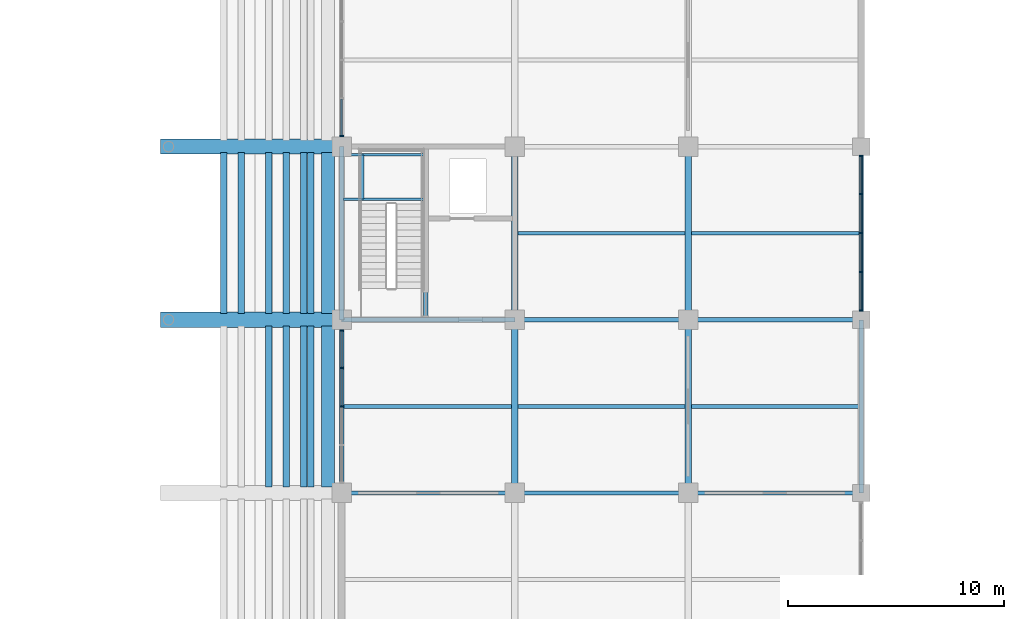
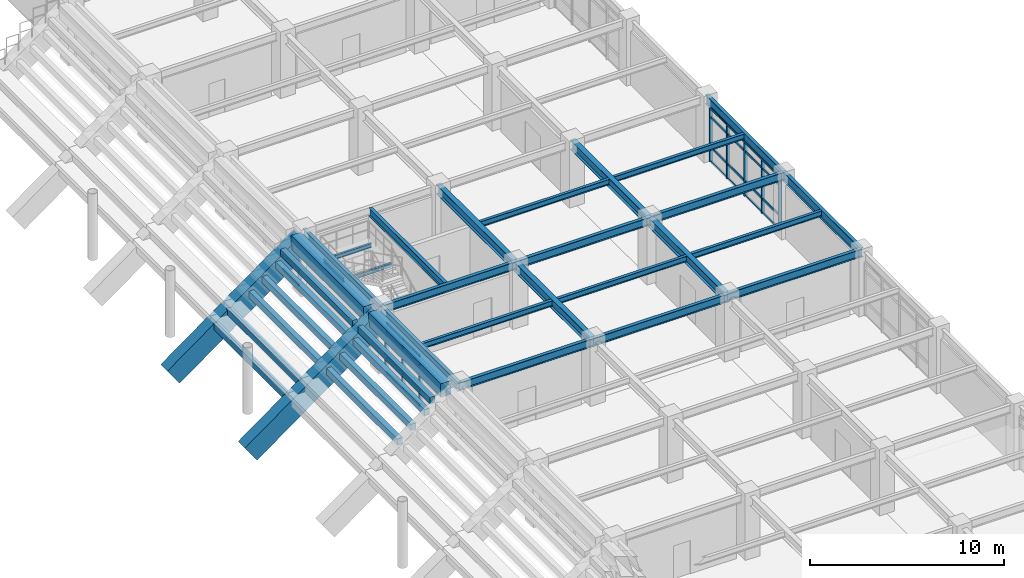
# One storey, part 43 of 118: 37 beams, 35 members, 3 elements without a shape of their own.
"""IFC4 building model written with IfcOpenShell, lengths in metres."""

from ifc_helpers import new_model, si_unit, direction, frame, origin, origin_2d, place, context, subcontext, project, spatial, rectangle, i_section, extrude, material, layer, layer_set, material_profile, profile_set, type_object, element, aggregate, save


model = new_model("IFC4")

# Units and contexts
model_context = context("Model", 3, precision=1e-05, world=origin(), true_north=direction((0.0, 1.0)))
body_context = subcontext(model_context, "Body", "Model", "MODEL_VIEW")
ifc_project = project(units=[si_unit("LENGTHUNIT", "METRE"), si_unit("AREAUNIT", "SQUARE_METRE"), si_unit("VOLUMEUNIT", "CUBIC_METRE"), si_unit("PLANEANGLEUNIT", "RADIAN"), si_unit("MASSUNIT", "GRAM", prefix="KILO")], contexts=[model_context])

# Site, building, storey
site_placement = place(None, origin())
site = spatial("IfcSite", under=ifc_project, at=site_placement, CompositionType="ELEMENT")
building_placement = place(site_placement, origin())
building = spatial("IfcBuilding", under=site, at=building_placement, Name="Haebicheon Civic Stadium", CompositionType="ELEMENT")
storey_placement = place(building_placement, frame((0.0, 0.0, 14.39990234375)))
storey = spatial("IfcBuildingStorey", under=building, at=storey_placement, Name="L04", CompositionType="ELEMENT", Elevation=14.39990234375)

# Beams
ifc_material_1 = material(Name="Precast concrete C40/50", Category="concrete")
ifc_material_profile_1 = material_profile(ifc_material_1, rectangle(XDim=0.300048828125, YDim=0.39990234375, at=origin_2d()), Name="PC-LN-300x400")
ifc_profile_set_1 = profile_set([ifc_material_profile_1], Name="Precast concrete C40/50")
beam_type_1 = type_object("IfcBeamType", Name="BM-LN-300x400", PredefinedType="LINTEL", material=ifc_profile_set_1)
for number, where, z_axis, x_axis, name in (
    (1, (140.639892578125, 96.280029296875, 1.18212890625), (0.0, 1.0, 0.0), (-1.0, 0.0, 0.0), "TIER-E-U precast step carrier beam 7.6"),
    (2, (141.43994140625, 96.280029296875, 1.8271484375), (0.0, 1.0, 0.0), (-1.0, 0.0, 0.0), "TIER-E-U precast step carrier beam 7.7"),
    (3, (142.239990234375, 96.280029296875, 2.47119140625), (0.0, 1.0, 0.0), (-1.0, 0.0, 0.0), "TIER-E-U precast step carrier beam 7.8"),
    (4, (142.56005859375, 96.280029296875, 3.1162109375), (0.0, 1.0, 0.0), (-1.0, 0.0, 0.0), "TIER-E-U precast step carrier beam 7.9"),
    (5, (138.56005859375, 104.280029296875, -0.10693359375), (0.0, 1.0, 0.0), (-1.0, 0.0, 0.0), "TIER-E-U precast step carrier beam 8.4"),
    (6, (139.360107421875, 104.280029296875, 0.5380859375), (0.0, 1.0, 0.0), (-1.0, 0.0, 0.0), "TIER-E-U precast step carrier beam 8.5"),
    (7, (140.639892578125, 104.280029296875, 1.18212890625), (0.0, 1.0, 0.0), (-1.0, 0.0, 0.0), "TIER-E-U precast step carrier beam 8.6"),
    (8, (141.43994140625, 104.280029296875, 1.8271484375), (0.0, 1.0, 0.0), (-1.0, 0.0, 0.0), "TIER-E-U precast step carrier beam 8.7"),
    (9, (142.239990234375, 104.280029296875, 2.47119140625), (0.0, 1.0, 0.0), (-1.0, 0.0, 0.0), "TIER-E-U precast step carrier beam 8.8"),
    (10, (142.56005859375, 104.280029296875, 3.1162109375), (0.0, 1.0, 0.0), (-1.0, 0.0, 0.0), "TIER-E-U precast step carrier beam 8.9"),
):
    element("IfcBeam", number, at=place(storey_placement, frame(where, z_axis=z_axis, x_axis=x_axis)), inside=storey, type_object=beam_type_1, material=ifc_profile_set_1, Name=name, PredefinedType="LINTEL", context=body_context, shape_type="SweptSolid", body=[
        extrude(rectangle(XDim=0.300048828125, YDim=0.39990234375, at=origin_2d()), origin(), (0.0, 0.0, 1.0), 7.43994140625),
    ])
ifc_material_2 = material(Name="Steel SM355 (S355)", Category="steel")
ifc_material_profile_2 = material_profile(ifc_material_2, i_section(OverallWidth=0.199951171875, OverallDepth=0.5, WebThickness=0.010009765625, FlangeThickness=0.01611328125, at=origin_2d()), Name="H-500x200x10x16")
ifc_profile_set_2 = profile_set([ifc_material_profile_2], Name="Steel SM355 (S355)")
beam_type_2 = type_object("IfcBeamType", Name="BM-ST-H500", PredefinedType="BEAM", material=ifc_profile_set_2)
for number, where, z_axis, x_axis, name in (
    (11, (144.0, 96.0, 3.690185546875), (1.0, 0.0, 0.0), (0.0, 1.0, 0.0), "L04 beam N/19-20"),
    (12, (144.0, 104.0, 3.690185546875), (1.0, 0.0, 0.0), (0.0, 1.0, 0.0), "L04 beam P/19-20"),
    (13, (152.0, 96.0, 3.690185546875), (1.0, 0.0, 0.0), (0.0, 1.0, 0.0), "L04 beam N/20-21"),
    (14, (152.0, 104.0, 3.690185546875), (1.0, 0.0, 0.0), (0.0, 1.0, 0.0), "L04 beam P/20-21"),
    (15, (160.0, 96.0, 3.72998046875), (1.0, 0.0, 0.0), (0.0, 1.0, 0.0), "L04 beam N/21-22"),
    (16, (160.0, 104.0, 3.72998046875), (1.0, 0.0, 0.0), (0.0, 1.0, 0.0), "L04 beam P/21-22"),
):
    element("IfcBeam", number, at=place(storey_placement, frame(where, z_axis=z_axis, x_axis=x_axis)), inside=storey, type_object=beam_type_2, material=ifc_profile_set_2, Name=name, PredefinedType="BEAM", context=body_context, shape_type="SweptSolid", body=[
        extrude(i_section(OverallWidth=0.199951171875, OverallDepth=0.5, WebThickness=0.010009765625, FlangeThickness=0.01611328125, at=origin_2d()), origin(), (0.0, 0.0, 1.0), 8.0),
    ])
beam_1_placement = place(storey_placement, frame((147.8798828125, 104.10009765625, 3.690185546875), z_axis=(0.0, 1.0, 0.0), x_axis=(-1.0, 0.0, 0.0)))
element("IfcBeam", 17, at=beam_1_placement, inside=storey, type_object=beam_type_2, material=ifc_profile_set_2, Name="L04 KC-11 core dividing wall support beam", PredefinedType="BEAM", context=body_context, shape_type="SweptSolid", body=[
    extrude(i_section(OverallWidth=0.199951171875, OverallDepth=0.5, WebThickness=0.010009765625, FlangeThickness=0.01611328125, at=origin_2d()), origin(), (0.0, 0.0, 1.0), 7.7998046875),
])
ifc_material_3 = material(Name="Steel SM355 (S355)", Category="steel")
ifc_material_profile_3 = material_profile(ifc_material_3, i_section(OverallWidth=0.300048828125, OverallDepth=0.60009765625, WebThickness=0.011962890625, FlangeThickness=0.02001953125, at=origin_2d()), Name="H-600x300x12x20")
ifc_profile_set_3 = profile_set([ifc_material_profile_3], Name="Steel SM355 (S355)")
beam_type_3 = type_object("IfcBeamType", Name="BM-ST-H600A", PredefinedType="BEAM", material=ifc_profile_set_3)
for number, where, z_axis, x_axis, name in (
    (18, (152.0, 96.0, 3.64013671875), (0.0, 1.0, 0.0), (-1.0, 0.0, 0.0), "L04 girder 20/N-P"),
    (19, (152.0, 104.0, 3.64013671875), (0.0, 1.0, 0.0), (-1.0, 0.0, 0.0), "L04 girder 20/P-Q"),
    (20, (160.0, 96.0, 3.64013671875), (0.0, 1.0, 0.0), (-1.0, 0.0, 0.0), "L04 girder 21/N-P"),
    (21, (160.0, 104.0, 3.64013671875), (0.0, 1.0, 0.0), (-1.0, 0.0, 0.0), "L04 girder 21/P-Q"),
):
    element("IfcBeam", number, at=place(storey_placement, frame(where, z_axis=z_axis, x_axis=x_axis)), inside=storey, type_object=beam_type_3, material=ifc_profile_set_3, Name=name, PredefinedType="BEAM", context=body_context, shape_type="SweptSolid", body=[
        extrude(i_section(OverallWidth=0.300048828125, OverallDepth=0.60009765625, WebThickness=0.011962890625, FlangeThickness=0.02001953125, at=origin_2d()), origin(), (0.0, 0.0, 1.0), 8.0),
    ])
ifc_material_4 = material(Name="Precast concrete C40/50", Category="concrete")
ifc_material_profile_4 = material_profile(ifc_material_4, rectangle(XDim=0.60009765625, YDim=0.85009765625, at=origin_2d()), Name="PC-TB-600x850")
ifc_profile_set_4 = profile_set([ifc_material_profile_4], Name="Precast concrete C40/50")
beam_type_4 = type_object("IfcBeamType", Name="BM-TB-600x850", PredefinedType="T_BEAM", material=ifc_profile_set_4)
for number, where, z_axis, x_axis, name in (
    (22, (143.360107421875, 96.280029296875, 3.53515625), (0.0, 1.0, 0.0), (-1.0, 0.0, 0.0), "TIER-E-U upper tier bench carrier beam 7"),
    (23, (143.360107421875, 104.280029296875, 3.53515625), (0.0, 1.0, 0.0), (-1.0, 0.0, 0.0), "TIER-E-U upper tier bench carrier beam 8"),
):
    element("IfcBeam", number, at=place(storey_placement, frame(where, z_axis=z_axis, x_axis=x_axis)), inside=storey, type_object=beam_type_4, material=ifc_profile_set_4, Name=name, PredefinedType="T_BEAM", context=body_context, shape_type="SweptSolid", body=[
        extrude(rectangle(XDim=0.60009765625, YDim=0.85009765625, at=origin_2d()), origin(), (0.0, 0.0, 1.0), 7.43994140625),
    ])

# Curtain wall, members
ifc_material_5 = material(Name="Anodised aluminium and laminated glass", Category="aluminium")
ifc_layer_1 = layer(ifc_material_5, 0.179931640625, Name="Anodised aluminium and laminated glass")
ifc_layer_set_1 = layer_set([ifc_layer_1], Name="Anodised aluminium and laminated glass")
curtain_wall_type_1 = type_object("IfcCurtainWallType", Name="CW-7100x3100", PredefinedType="NOTDEFINED", material=ifc_layer_set_1)
curtain_wall_1_placement = place(storey_placement, origin())
curtain_wall_1 = element("IfcCurtainWall", 24, at=curtain_wall_1_placement, inside=storey, type_object=curtain_wall_type_1, material=ifc_layer_set_1, Name="L04 unitised curtain wall 145", PredefinedType="NOTDEFINED")
ifc_material_6 = material(Name="Anodised aluminium 6063-T6", Category="aluminium")
ifc_material_profile_5 = material_profile(ifc_material_6, rectangle(XDim=0.070068359375, YDim=0.199951171875, at=origin_2d()), Name="ALU-MULL-70x200")
ifc_profile_set_5 = profile_set([ifc_material_profile_5], Name="Anodised aluminium 6063-T6")
member_type_1 = type_object("IfcMemberType", Name="CWM-200x70", PredefinedType="MULLION", material=ifc_profile_set_5)
member_1_placement = place(storey_placement, frame((144.0, 100.0, 0.0), z_axis=(0.0, 0.0, 1.0), x_axis=(0.0, 1.0, 0.0)))
member_1 = element("IfcMember", 25, at=member_1_placement, type_object=member_type_1, material=ifc_profile_set_5, Name="CW-L04-145 vertical mullion 3", PredefinedType="MULLION", context=body_context, shape_type="SweptSolid", body=[
    extrude(rectangle(XDim=0.070068359375, YDim=0.199951171875, at=origin_2d()), origin(), (0.0, 0.0, 1.0), 3.10009765625),
])
member_2_placement = place(storey_placement, frame((144.0, 101.77490234375, 0.0), z_axis=(0.0, 0.0, 1.0), x_axis=(0.0, 1.0, 0.0)))
member_2 = element("IfcMember", 26, at=member_2_placement, type_object=member_type_1, material=ifc_profile_set_5, Name="CW-L04-145 vertical mullion 4", PredefinedType="MULLION", context=body_context, shape_type="SweptSolid", body=[
    extrude(rectangle(XDim=0.070068359375, YDim=0.199951171875, at=origin_2d()), origin(), (0.0, 0.0, 1.0), 3.10009765625),
])
member_3_placement = place(storey_placement, frame((144.0, 103.514892578125, 0.0), z_axis=(0.0, 0.0, 1.0), x_axis=(0.0, 1.0, 0.0)))
member_3 = element("IfcMember", 27, at=member_3_placement, type_object=member_type_1, material=ifc_profile_set_5, Name="CW-L04-145 vertical mullion 5", PredefinedType="MULLION", context=body_context, shape_type="SweptSolid", body=[
    extrude(rectangle(XDim=0.070068359375, YDim=0.199951171875, at=origin_2d()), origin(), (0.0, 0.0, 1.0), 3.10009765625),
])

# Curtain wall, member
curtain_wall_2_placement = place(storey_placement, origin())
curtain_wall_2 = element("IfcCurtainWall", 28, at=curtain_wall_2_placement, inside=storey, type_object=curtain_wall_type_1, material=ifc_layer_set_1, Name="L04 unitised curtain wall 146", PredefinedType="NOTDEFINED")
member_4_placement = place(storey_placement, frame((144.0, 112.485107421875, 0.0), z_axis=(0.0, 0.0, 1.0), x_axis=(0.0, 1.0, 0.0)))
member_4 = element("IfcMember", 29, at=member_4_placement, type_object=member_type_1, material=ifc_profile_set_5, Name="CW-L04-146 vertical mullion 1", PredefinedType="MULLION", context=body_context, shape_type="SweptSolid", body=[
    extrude(rectangle(XDim=0.070068359375, YDim=0.199951171875, at=origin_2d()), origin(), (0.0, 0.0, 1.0), 3.10009765625),
])

# Curtain wall, members
ifc_material_7 = material(Name="Anodised aluminium and laminated glass", Category="aluminium")
ifc_layer_2 = layer(ifc_material_7, 0.179931640625, Name="Anodised aluminium and laminated glass")
ifc_layer_set_2 = layer_set([ifc_layer_2], Name="Anodised aluminium and laminated glass")
curtain_wall_type_2 = type_object("IfcCurtainWallType", Name="CW-7200x3350", PredefinedType="NOTDEFINED", material=ifc_layer_set_2)
curtain_wall_3_placement = place(storey_placement, origin())
curtain_wall_3 = element("IfcCurtainWall", 30, at=curtain_wall_3_placement, inside=storey, type_object=curtain_wall_type_2, material=ifc_layer_set_2, Name="L04 unitised curtain wall 157", PredefinedType="NOTDEFINED")
member_5_placement = place(storey_placement, frame((168.0, 104.43505859375, 0.0), z_axis=(0.0, 0.0, 1.0), x_axis=(0.0, 1.0, 0.0)))
member_5 = element("IfcMember", 31, at=member_5_placement, type_object=member_type_1, material=ifc_profile_set_5, Name="CW-L04-157 vertical mullion 1", PredefinedType="MULLION", context=body_context, shape_type="SweptSolid", body=[
    extrude(rectangle(XDim=0.070068359375, YDim=0.199951171875, at=origin_2d()), origin(), (0.0, 0.0, 1.0), 3.35009765625),
])
member_6_placement = place(storey_placement, frame((168.0, 106.199951171875, 0.0), z_axis=(0.0, 0.0, 1.0), x_axis=(0.0, 1.0, 0.0)))
member_6 = element("IfcMember", 32, at=member_6_placement, type_object=member_type_1, material=ifc_profile_set_5, Name="CW-L04-157 vertical mullion 2", PredefinedType="MULLION", context=body_context, shape_type="SweptSolid", body=[
    extrude(rectangle(XDim=0.070068359375, YDim=0.199951171875, at=origin_2d()), origin(), (0.0, 0.0, 1.0), 3.35009765625),
])
member_7_placement = place(storey_placement, frame((168.0, 108.0, 0.0), z_axis=(0.0, 0.0, 1.0), x_axis=(0.0, 1.0, 0.0)))
member_7 = element("IfcMember", 33, at=member_7_placement, type_object=member_type_1, material=ifc_profile_set_5, Name="CW-L04-157 vertical mullion 3", PredefinedType="MULLION", context=body_context, shape_type="SweptSolid", body=[
    extrude(rectangle(XDim=0.070068359375, YDim=0.199951171875, at=origin_2d()), origin(), (0.0, 0.0, 1.0), 3.35009765625),
])
member_8_placement = place(storey_placement, frame((168.0, 109.800048828125, 0.0), z_axis=(0.0, 0.0, 1.0), x_axis=(0.0, 1.0, 0.0)))
member_8 = element("IfcMember", 34, at=member_8_placement, type_object=member_type_1, material=ifc_profile_set_5, Name="CW-L04-157 vertical mullion 4", PredefinedType="MULLION", context=body_context, shape_type="SweptSolid", body=[
    extrude(rectangle(XDim=0.070068359375, YDim=0.199951171875, at=origin_2d()), origin(), (0.0, 0.0, 1.0), 3.35009765625),
])
member_9_placement = place(storey_placement, frame((168.0, 111.56494140625, 0.0), z_axis=(0.0, 0.0, 1.0), x_axis=(0.0, 1.0, 0.0)))
member_9 = element("IfcMember", 35, at=member_9_placement, type_object=member_type_1, material=ifc_profile_set_5, Name="CW-L04-157 vertical mullion 5", PredefinedType="MULLION", context=body_context, shape_type="SweptSolid", body=[
    extrude(rectangle(XDim=0.070068359375, YDim=0.199951171875, at=origin_2d()), origin(), (0.0, 0.0, 1.0), 3.35009765625),
])

# Member
ifc_material_8 = material(Name="Anodised aluminium 6063-T6", Category="aluminium")
ifc_material_profile_6 = material_profile(ifc_material_8, rectangle(XDim=0.070068359375, YDim=0.14990234375, at=origin_2d()), Name="ALU-TRAN-70x150")
ifc_profile_set_6 = profile_set([ifc_material_profile_6], Name="Anodised aluminium 6063-T6")
member_type_2 = type_object("IfcMemberType", Name="CWT-150x70", PredefinedType="NOTDEFINED", material=ifc_profile_set_6)
member_10_placement = place(storey_placement, frame((144.0, 100.034912109375, 0.0), z_axis=(0.0, 1.0, 0.0), x_axis=(-1.0, 0.0, 0.0)))
member_10 = element("IfcMember", 36, at=member_10_placement, type_object=member_type_2, material=ifc_profile_set_6, Name="CW-L04-145 horizontal transom 3.1", ObjectType="TRANSOM", PredefinedType="USERDEFINED", context=body_context, shape_type="SweptSolid", body=[
    extrude(rectangle(XDim=0.070068359375, YDim=0.14990234375, at=origin_2d()), origin(), (0.0, 0.0, 1.0), 1.705078125),
])

member_11_placement = place(storey_placement, frame((144.0, 100.034912109375, 0.900146484375), z_axis=(0.0, 1.0, 0.0), x_axis=(-1.0, 0.0, 0.0)))
member_11 = element("IfcMember", 37, at=member_11_placement, type_object=member_type_2, material=ifc_profile_set_6, Name="CW-L04-145 horizontal transom 3.2", ObjectType="TRANSOM", PredefinedType="USERDEFINED", context=body_context, shape_type="SweptSolid", body=[
    extrude(rectangle(XDim=0.070068359375, YDim=0.14990234375, at=origin_2d()), origin(), (0.0, 0.0, 1.0), 1.705078125),
])

member_12_placement = place(storey_placement, frame((144.0, 100.034912109375, 2.550048828125), z_axis=(0.0, 1.0, 0.0), x_axis=(-1.0, 0.0, 0.0)))
member_12 = element("IfcMember", 38, at=member_12_placement, type_object=member_type_2, material=ifc_profile_set_6, Name="CW-L04-145 horizontal transom 3.3", ObjectType="TRANSOM", PredefinedType="USERDEFINED", context=body_context, shape_type="SweptSolid", body=[
    extrude(rectangle(XDim=0.070068359375, YDim=0.14990234375, at=origin_2d()), origin(), (0.0, 0.0, 1.0), 1.705078125),
])

member_13_placement = place(storey_placement, frame((144.0, 100.034912109375, 3.10009765625), z_axis=(0.0, 1.0, 0.0), x_axis=(-1.0, 0.0, 0.0)))
member_13 = element("IfcMember", 39, at=member_13_placement, type_object=member_type_2, material=ifc_profile_set_6, Name="CW-L04-145 horizontal transom 3.4", ObjectType="TRANSOM", PredefinedType="USERDEFINED", context=body_context, shape_type="SweptSolid", body=[
    extrude(rectangle(XDim=0.070068359375, YDim=0.14990234375, at=origin_2d()), origin(), (0.0, 0.0, 1.0), 1.705078125),
])

member_14_placement = place(storey_placement, frame((144.0, 101.81005859375, 0.0), z_axis=(0.0, 1.0, 0.0), x_axis=(-1.0, 0.0, 0.0)))
member_14 = element("IfcMember", 40, at=member_14_placement, type_object=member_type_2, material=ifc_profile_set_6, Name="CW-L04-145 horizontal transom 4.1", ObjectType="TRANSOM", PredefinedType="USERDEFINED", context=body_context, shape_type="SweptSolid", body=[
    extrude(rectangle(XDim=0.070068359375, YDim=0.14990234375, at=origin_2d()), origin(), (0.0, 0.0, 1.0), 1.669921875),
])

member_15_placement = place(storey_placement, frame((144.0, 101.81005859375, 0.900146484375), z_axis=(0.0, 1.0, 0.0), x_axis=(-1.0, 0.0, 0.0)))
member_15 = element("IfcMember", 41, at=member_15_placement, type_object=member_type_2, material=ifc_profile_set_6, Name="CW-L04-145 horizontal transom 4.2", ObjectType="TRANSOM", PredefinedType="USERDEFINED", context=body_context, shape_type="SweptSolid", body=[
    extrude(rectangle(XDim=0.070068359375, YDim=0.14990234375, at=origin_2d()), origin(), (0.0, 0.0, 1.0), 1.669921875),
])

member_16_placement = place(storey_placement, frame((144.0, 101.81005859375, 2.550048828125), z_axis=(0.0, 1.0, 0.0), x_axis=(-1.0, 0.0, 0.0)))
member_16 = element("IfcMember", 42, at=member_16_placement, type_object=member_type_2, material=ifc_profile_set_6, Name="CW-L04-145 horizontal transom 4.3", ObjectType="TRANSOM", PredefinedType="USERDEFINED", context=body_context, shape_type="SweptSolid", body=[
    extrude(rectangle(XDim=0.070068359375, YDim=0.14990234375, at=origin_2d()), origin(), (0.0, 0.0, 1.0), 1.669921875),
])

member_17_placement = place(storey_placement, frame((144.0, 101.81005859375, 3.10009765625), z_axis=(0.0, 1.0, 0.0), x_axis=(-1.0, 0.0, 0.0)))
member_17 = element("IfcMember", 43, at=member_17_placement, type_object=member_type_2, material=ifc_profile_set_6, Name="CW-L04-145 horizontal transom 4.4", ObjectType="TRANSOM", PredefinedType="USERDEFINED", context=body_context, shape_type="SweptSolid", body=[
    extrude(rectangle(XDim=0.070068359375, YDim=0.14990234375, at=origin_2d()), origin(), (0.0, 0.0, 1.0), 1.669921875),
])

aggregate(curtain_wall_1, [member_1, member_2, member_3, member_10, member_11, member_12, member_13, member_14, member_15, member_16, member_17])

member_18_placement = place(storey_placement, frame((144.0, 112.52001953125, 0.0), z_axis=(0.0, 1.0, 0.0), x_axis=(-1.0, 0.0, 0.0)))
member_18 = element("IfcMember", 44, at=member_18_placement, type_object=member_type_2, material=ifc_profile_set_6, Name="CW-L04-146 horizontal transom 1.1", ObjectType="TRANSOM", PredefinedType="USERDEFINED", context=body_context, shape_type="SweptSolid", body=[
    extrude(rectangle(XDim=0.070068359375, YDim=0.14990234375, at=origin_2d()), origin(), (0.0, 0.0, 1.0), 1.669921875),
])

member_19_placement = place(storey_placement, frame((144.0, 112.52001953125, 0.900146484375), z_axis=(0.0, 1.0, 0.0), x_axis=(-1.0, 0.0, 0.0)))
member_19 = element("IfcMember", 45, at=member_19_placement, type_object=member_type_2, material=ifc_profile_set_6, Name="CW-L04-146 horizontal transom 1.2", ObjectType="TRANSOM", PredefinedType="USERDEFINED", context=body_context, shape_type="SweptSolid", body=[
    extrude(rectangle(XDim=0.070068359375, YDim=0.14990234375, at=origin_2d()), origin(), (0.0, 0.0, 1.0), 1.669921875),
])

aggregate(curtain_wall_2, [member_4, member_18, member_19])

member_20_placement = place(storey_placement, frame((168.0, 104.469970703125, 0.0), z_axis=(0.0, 1.0, 0.0), x_axis=(-1.0, 0.0, 0.0)))
member_20 = element("IfcMember", 46, at=member_20_placement, type_object=member_type_2, material=ifc_profile_set_6, Name="CW-L04-157 horizontal transom 1.1", ObjectType="TRANSOM", PredefinedType="USERDEFINED", context=body_context, shape_type="SweptSolid", body=[
    extrude(rectangle(XDim=0.070068359375, YDim=0.14990234375, at=origin_2d()), origin(), (0.0, 0.0, 1.0), 1.695068359375),
])

member_21_placement = place(storey_placement, frame((168.0, 104.469970703125, 0.900146484375), z_axis=(0.0, 1.0, 0.0), x_axis=(-1.0, 0.0, 0.0)))
member_21 = element("IfcMember", 47, at=member_21_placement, type_object=member_type_2, material=ifc_profile_set_6, Name="CW-L04-157 horizontal transom 1.2", ObjectType="TRANSOM", PredefinedType="USERDEFINED", context=body_context, shape_type="SweptSolid", body=[
    extrude(rectangle(XDim=0.070068359375, YDim=0.14990234375, at=origin_2d()), origin(), (0.0, 0.0, 1.0), 1.695068359375),
])

member_22_placement = place(storey_placement, frame((168.0, 104.469970703125, 2.800048828125), z_axis=(0.0, 1.0, 0.0), x_axis=(-1.0, 0.0, 0.0)))
member_22 = element("IfcMember", 48, at=member_22_placement, type_object=member_type_2, material=ifc_profile_set_6, Name="CW-L04-157 horizontal transom 1.3", ObjectType="TRANSOM", PredefinedType="USERDEFINED", context=body_context, shape_type="SweptSolid", body=[
    extrude(rectangle(XDim=0.070068359375, YDim=0.14990234375, at=origin_2d()), origin(), (0.0, 0.0, 1.0), 1.695068359375),
])

member_23_placement = place(storey_placement, frame((168.0, 104.469970703125, 3.35009765625), z_axis=(0.0, 1.0, 0.0), x_axis=(-1.0, 0.0, 0.0)))
member_23 = element("IfcMember", 49, at=member_23_placement, type_object=member_type_2, material=ifc_profile_set_6, Name="CW-L04-157 horizontal transom 1.4", ObjectType="TRANSOM", PredefinedType="USERDEFINED", context=body_context, shape_type="SweptSolid", body=[
    extrude(rectangle(XDim=0.070068359375, YDim=0.14990234375, at=origin_2d()), origin(), (0.0, 0.0, 1.0), 1.695068359375),
])

member_24_placement = place(storey_placement, frame((168.0, 106.235107421875, 0.0), z_axis=(0.0, 1.0, 0.0), x_axis=(-1.0, 0.0, 0.0)))
member_24 = element("IfcMember", 50, at=member_24_placement, type_object=member_type_2, material=ifc_profile_set_6, Name="CW-L04-157 horizontal transom 2.1", ObjectType="TRANSOM", PredefinedType="USERDEFINED", context=body_context, shape_type="SweptSolid", body=[
    extrude(rectangle(XDim=0.070068359375, YDim=0.14990234375, at=origin_2d()), origin(), (0.0, 0.0, 1.0), 1.72998046875),
])

member_25_placement = place(storey_placement, frame((168.0, 106.235107421875, 0.900146484375), z_axis=(0.0, 1.0, 0.0), x_axis=(-1.0, 0.0, 0.0)))
member_25 = element("IfcMember", 51, at=member_25_placement, type_object=member_type_2, material=ifc_profile_set_6, Name="CW-L04-157 horizontal transom 2.2", ObjectType="TRANSOM", PredefinedType="USERDEFINED", context=body_context, shape_type="SweptSolid", body=[
    extrude(rectangle(XDim=0.070068359375, YDim=0.14990234375, at=origin_2d()), origin(), (0.0, 0.0, 1.0), 1.72998046875),
])

member_26_placement = place(storey_placement, frame((168.0, 106.235107421875, 2.800048828125), z_axis=(0.0, 1.0, 0.0), x_axis=(-1.0, 0.0, 0.0)))
member_26 = element("IfcMember", 52, at=member_26_placement, type_object=member_type_2, material=ifc_profile_set_6, Name="CW-L04-157 horizontal transom 2.3", ObjectType="TRANSOM", PredefinedType="USERDEFINED", context=body_context, shape_type="SweptSolid", body=[
    extrude(rectangle(XDim=0.070068359375, YDim=0.14990234375, at=origin_2d()), origin(), (0.0, 0.0, 1.0), 1.72998046875),
])

member_27_placement = place(storey_placement, frame((168.0, 106.235107421875, 3.35009765625), z_axis=(0.0, 1.0, 0.0), x_axis=(-1.0, 0.0, 0.0)))
member_27 = element("IfcMember", 53, at=member_27_placement, type_object=member_type_2, material=ifc_profile_set_6, Name="CW-L04-157 horizontal transom 2.4", ObjectType="TRANSOM", PredefinedType="USERDEFINED", context=body_context, shape_type="SweptSolid", body=[
    extrude(rectangle(XDim=0.070068359375, YDim=0.14990234375, at=origin_2d()), origin(), (0.0, 0.0, 1.0), 1.72998046875),
])

member_28_placement = place(storey_placement, frame((168.0, 108.034912109375, 0.0), z_axis=(0.0, 1.0, 0.0), x_axis=(-1.0, 0.0, 0.0)))
member_28 = element("IfcMember", 54, at=member_28_placement, type_object=member_type_2, material=ifc_profile_set_6, Name="CW-L04-157 horizontal transom 3.1", ObjectType="TRANSOM", PredefinedType="USERDEFINED", context=body_context, shape_type="SweptSolid", body=[
    extrude(rectangle(XDim=0.070068359375, YDim=0.14990234375, at=origin_2d()), origin(), (0.0, 0.0, 1.0), 1.72998046875),
])

member_29_placement = place(storey_placement, frame((168.0, 108.034912109375, 0.900146484375), z_axis=(0.0, 1.0, 0.0), x_axis=(-1.0, 0.0, 0.0)))
member_29 = element("IfcMember", 55, at=member_29_placement, type_object=member_type_2, material=ifc_profile_set_6, Name="CW-L04-157 horizontal transom 3.2", ObjectType="TRANSOM", PredefinedType="USERDEFINED", context=body_context, shape_type="SweptSolid", body=[
    extrude(rectangle(XDim=0.070068359375, YDim=0.14990234375, at=origin_2d()), origin(), (0.0, 0.0, 1.0), 1.72998046875),
])

member_30_placement = place(storey_placement, frame((168.0, 108.034912109375, 2.800048828125), z_axis=(0.0, 1.0, 0.0), x_axis=(-1.0, 0.0, 0.0)))
member_30 = element("IfcMember", 56, at=member_30_placement, type_object=member_type_2, material=ifc_profile_set_6, Name="CW-L04-157 horizontal transom 3.3", ObjectType="TRANSOM", PredefinedType="USERDEFINED", context=body_context, shape_type="SweptSolid", body=[
    extrude(rectangle(XDim=0.070068359375, YDim=0.14990234375, at=origin_2d()), origin(), (0.0, 0.0, 1.0), 1.72998046875),
])

member_31_placement = place(storey_placement, frame((168.0, 108.034912109375, 3.35009765625), z_axis=(0.0, 1.0, 0.0), x_axis=(-1.0, 0.0, 0.0)))
member_31 = element("IfcMember", 57, at=member_31_placement, type_object=member_type_2, material=ifc_profile_set_6, Name="CW-L04-157 horizontal transom 3.4", ObjectType="TRANSOM", PredefinedType="USERDEFINED", context=body_context, shape_type="SweptSolid", body=[
    extrude(rectangle(XDim=0.070068359375, YDim=0.14990234375, at=origin_2d()), origin(), (0.0, 0.0, 1.0), 1.72998046875),
])

member_32_placement = place(storey_placement, frame((168.0, 109.8349609375, 0.0), z_axis=(0.0, 1.0, 0.0), x_axis=(-1.0, 0.0, 0.0)))
member_32 = element("IfcMember", 58, at=member_32_placement, type_object=member_type_2, material=ifc_profile_set_6, Name="CW-L04-157 horizontal transom 4.1", ObjectType="TRANSOM", PredefinedType="USERDEFINED", context=body_context, shape_type="SweptSolid", body=[
    extrude(rectangle(XDim=0.070068359375, YDim=0.14990234375, at=origin_2d()), origin(), (0.0, 0.0, 1.0), 1.695068359375),
])

member_33_placement = place(storey_placement, frame((168.0, 109.8349609375, 0.900146484375), z_axis=(0.0, 1.0, 0.0), x_axis=(-1.0, 0.0, 0.0)))
member_33 = element("IfcMember", 59, at=member_33_placement, type_object=member_type_2, material=ifc_profile_set_6, Name="CW-L04-157 horizontal transom 4.2", ObjectType="TRANSOM", PredefinedType="USERDEFINED", context=body_context, shape_type="SweptSolid", body=[
    extrude(rectangle(XDim=0.070068359375, YDim=0.14990234375, at=origin_2d()), origin(), (0.0, 0.0, 1.0), 1.695068359375),
])

member_34_placement = place(storey_placement, frame((168.0, 109.8349609375, 2.800048828125), z_axis=(0.0, 1.0, 0.0), x_axis=(-1.0, 0.0, 0.0)))
member_34 = element("IfcMember", 60, at=member_34_placement, type_object=member_type_2, material=ifc_profile_set_6, Name="CW-L04-157 horizontal transom 4.3", ObjectType="TRANSOM", PredefinedType="USERDEFINED", context=body_context, shape_type="SweptSolid", body=[
    extrude(rectangle(XDim=0.070068359375, YDim=0.14990234375, at=origin_2d()), origin(), (0.0, 0.0, 1.0), 1.695068359375),
])

member_35_placement = place(storey_placement, frame((168.0, 109.8349609375, 3.35009765625), z_axis=(0.0, 1.0, 0.0), x_axis=(-1.0, 0.0, 0.0)))
member_35 = element("IfcMember", 61, at=member_35_placement, type_object=member_type_2, material=ifc_profile_set_6, Name="CW-L04-157 horizontal transom 4.4", ObjectType="TRANSOM", PredefinedType="USERDEFINED", context=body_context, shape_type="SweptSolid", body=[
    extrude(rectangle(XDim=0.070068359375, YDim=0.14990234375, at=origin_2d()), origin(), (0.0, 0.0, 1.0), 1.695068359375),
])

aggregate(curtain_wall_3, [member_5, member_6, member_7, member_8, member_9, member_20, member_21, member_22, member_23, member_24, member_25, member_26, member_27, member_28, member_29, member_30, member_31, member_32, member_33, member_34, member_35])

# Beams
ifc_material_9 = material(Name="Steel SM355 (S355)", Category="steel")
ifc_material_profile_7 = material_profile(ifc_material_9, i_section(OverallWidth=0.125, OverallDepth=0.25, WebThickness=0.006103515625, FlangeThickness=0.009033203125, at=origin_2d()), Name="H-250x125x6x9")
ifc_profile_set_7 = profile_set([ifc_material_profile_7], Name="Steel SM355 (S355)")
beam_type_5 = type_object("IfcBeamType", Name="JST-ST-H250", PredefinedType="JOIST", material=ifc_profile_set_7)
for number, where, z_axis, x_axis, name in (
    (62, (144.080078125, 109.570068359375, 1.772216796875), (1.0, 0.0, 0.0), (0.0, 1.0, 0.0), "KC-11 L04 stair half-landing front trimmer beam"),
    (63, (144.080078125, 111.6201171875, 1.772216796875), (1.0, 0.0, 0.0), (0.0, 1.0, 0.0), "KC-11 L04 stair half-landing rear trimmer beam"),
):
    element("IfcBeam", number, at=place(storey_placement, frame(where, z_axis=z_axis, x_axis=x_axis)), inside=storey, type_object=beam_type_5, material=ifc_profile_set_7, Name=name, PredefinedType="JOIST", context=body_context, shape_type="SweptSolid", body=[
        extrude(i_section(OverallWidth=0.125, OverallDepth=0.25, WebThickness=0.006103515625, FlangeThickness=0.009033203125, at=origin_2d()), origin(), (0.0, 0.0, 1.0), 3.719970703125),
    ])
beam_2_placement = place(storey_placement, frame((144.9599609375, 109.570068359375, 1.772216796875), z_axis=(0.0, 1.0, 0.0), x_axis=(-1.0, 0.0, 0.0)))
element("IfcBeam", 64, at=beam_2_placement, inside=storey, type_object=beam_type_5, material=ifc_profile_set_7, Name="KC-11 L04 stair half-landing transverse tie beam", PredefinedType="JOIST", context=body_context, shape_type="SweptSolid", body=[
    extrude(i_section(OverallWidth=0.125, OverallDepth=0.25, WebThickness=0.006103515625, FlangeThickness=0.009033203125, at=origin_2d()), origin(), (0.0, 0.0, 1.0), 2.050048828125),
])
ifc_material_10 = material(Name="Steel SM355 (S355)", Category="steel")
ifc_material_profile_8 = material_profile(ifc_material_10, i_section(OverallWidth=0.175048828125, OverallDepth=0.35009765625, WebThickness=0.007080078125, FlangeThickness=0.010986328125, at=origin_2d()), Name="H-350x175x7x11")
ifc_profile_set_8 = profile_set([ifc_material_profile_8], Name="Steel SM355 (S355)")
beam_type_6 = type_object("IfcBeamType", Name="JST-ST-H350", PredefinedType="JOIST", material=ifc_profile_set_8)
beam_3_placement = place(storey_placement, frame((144.10009765625, 100.0, 3.76513671875), z_axis=(1.0, 0.0, 0.0), x_axis=(0.0, 1.0, 0.0)))
element("IfcBeam", 65, at=beam_3_placement, inside=storey, type_object=beam_type_6, material=ifc_profile_set_8, Name="L04 secondary joist 18-12", PredefinedType="JOIST", context=body_context, shape_type="SweptSolid", body=[
    extrude(i_section(OverallWidth=0.175048828125, OverallDepth=0.35009765625, WebThickness=0.007080078125, FlangeThickness=0.010986328125, at=origin_2d()), origin(), (0.0, 0.0, 1.0), 7.75),
])
for number, where, z_axis, x_axis, name in (
    (66, (152.14990234375, 100.0, 3.76513671875), (1.0, 0.0, 0.0), (0.0, 1.0, 0.0), "L04 secondary joist 19-12"),
    (67, (152.14990234375, 108.0, 3.76513671875), (1.0, 0.0, 0.0), (0.0, 1.0, 0.0), "L04 secondary joist 19-13"),
):
    element("IfcBeam", number, at=place(storey_placement, frame(where, z_axis=z_axis, x_axis=x_axis)), inside=storey, type_object=beam_type_6, material=ifc_profile_set_8, Name=name, PredefinedType="JOIST", context=body_context, shape_type="SweptSolid", body=[
        extrude(i_section(OverallWidth=0.175048828125, OverallDepth=0.35009765625, WebThickness=0.007080078125, FlangeThickness=0.010986328125, at=origin_2d()), origin(), (0.0, 0.0, 1.0), 7.7001953125),
    ])
for number, where, z_axis, x_axis, name in (
    (68, (160.14990234375, 100.0, 3.80517578125), (1.0, 0.0, 0.0), (0.0, 1.0, 0.0), "L04 secondary joist 20-12"),
    (69, (160.14990234375, 108.0, 3.80517578125), (1.0, 0.0, 0.0), (0.0, 1.0, 0.0), "L04 secondary joist 20-13"),
):
    element("IfcBeam", number, at=place(storey_placement, frame(where, z_axis=z_axis, x_axis=x_axis)), inside=storey, type_object=beam_type_6, material=ifc_profile_set_8, Name=name, PredefinedType="JOIST", context=body_context, shape_type="SweptSolid", body=[
        extrude(i_section(OverallWidth=0.175048828125, OverallDepth=0.35009765625, WebThickness=0.007080078125, FlangeThickness=0.010986328125, at=origin_2d()), origin(), (0.0, 0.0, 1.0), 7.75),
    ])
ifc_material_11 = material(Name="Precast concrete C40/50", Category="concrete")
ifc_material_profile_9 = material_profile(ifc_material_11, rectangle(XDim=0.699951171875, YDim=1.25, at=origin_2d()), Name="PC-RK-700x1250")
ifc_profile_set_9 = profile_set([ifc_material_profile_9], Name="Precast concrete C40/50")
beam_type_7 = type_object("IfcBeamType", Name="RK-PC-700x1250", PredefinedType="USERDEFINED", material=ifc_profile_set_9)
for number, where, z_axis, x_axis, name in (
    (70, (136.0, 104.0, -2.46484375), (0.809608095134, 0.0, 0.586970810428), (0.0, 1.0, 0.0), "TIER-E-U inclined precast raker beam 8"),
    (71, (136.0, 112.0, -2.46484375), (0.809608095134, 0.0, 0.586970810428), (0.0, 1.0, 0.0), "TIER-E-U inclined precast raker beam 9"),
):
    element("IfcBeam", number, at=place(storey_placement, frame(where, z_axis=z_axis, x_axis=x_axis)), inside=storey, type_object=beam_type_7, material=ifc_profile_set_9, Name=name, ObjectType="RAKER BEAM", PredefinedType="USERDEFINED", context=body_context, shape_type="SweptSolid", body=[
        extrude(rectangle(XDim=0.699951171875, YDim=1.25, at=origin_2d()), origin(), (0.0, 0.0, 1.0), 9.88134765625),
    ])
ifc_material_12 = material(Name="Steel SM355 (S355)", Category="steel")
ifc_material_profile_10 = material_profile(ifc_material_12, i_section(OverallWidth=0.199951171875, OverallDepth=0.60009765625, WebThickness=0.010986328125, FlangeThickness=0.01708984375, at=origin_2d()), Name="H-600x200x11x17")
ifc_profile_set_10 = profile_set([ifc_material_profile_10], Name="Steel SM355 (S355)")
beam_type_8 = type_object("IfcBeamType", Name="SPD-ST-H600B", PredefinedType="SPANDREL", material=ifc_profile_set_10)
for number, where, z_axis, x_axis, name in (
    (72, (144.0, 96.0, 3.64013671875), (0.0, 1.0, 0.0), (-1.0, 0.0, 0.0), "L04 girder 19/N-P"),
    (73, (144.0, 104.0, 3.64013671875), (0.0, 1.0, 0.0), (-1.0, 0.0, 0.0), "L04 girder 19/P-Q"),
    (74, (168.0, 96.0, 3.68017578125), (0.0, 1.0, 0.0), (-1.0, 0.0, 0.0), "L04 girder 22/N-P"),
    (75, (168.0, 104.0, 3.68017578125), (0.0, 1.0, 0.0), (-1.0, 0.0, 0.0), "L04 girder 22/P-Q"),
):
    element("IfcBeam", number, at=place(storey_placement, frame(where, z_axis=z_axis, x_axis=x_axis)), inside=storey, type_object=beam_type_8, material=ifc_profile_set_10, Name=name, PredefinedType="SPANDREL", context=body_context, shape_type="SweptSolid", body=[
        extrude(i_section(OverallWidth=0.199951171875, OverallDepth=0.60009765625, WebThickness=0.010986328125, FlangeThickness=0.01708984375, at=origin_2d()), origin(), (0.0, 0.0, 1.0), 8.0),
    ])

save(model, "model.ifc")
